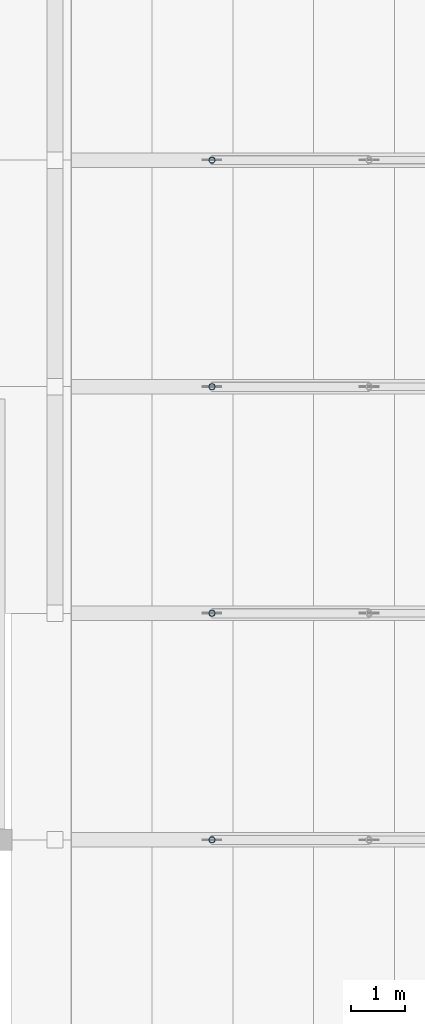
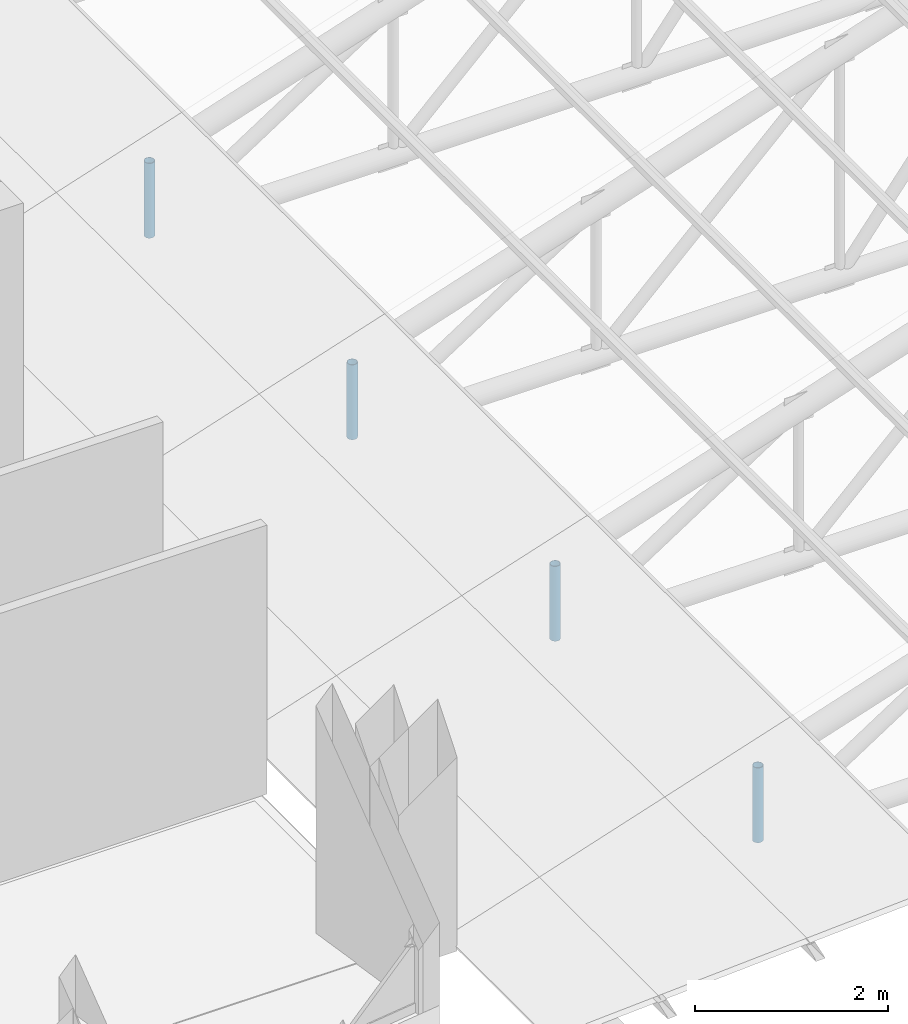
# One storey, part 62 of 95: 4 members.
"""IFC4 building model written with IfcOpenShell, lengths in metres."""

from ifc_helpers import new_model, si_unit, direction, frame, origin, origin_2d, place, context, subcontext, project, spatial, hollow_circle, extrude, material, material_profile, profile_set, type_object, element, save


model = new_model("IFC4")

# Units and contexts
model_context = context("Model", 3, precision=1e-05, world=origin(), true_north=direction((0.0, 1.0)))
body_context = subcontext(model_context, "Body", "Model", "MODEL_VIEW")
ifc_project = project(units=[si_unit("LENGTHUNIT", "METRE"), si_unit("AREAUNIT", "SQUARE_METRE"), si_unit("VOLUMEUNIT", "CUBIC_METRE"), si_unit("PLANEANGLEUNIT", "RADIAN"), si_unit("MASSUNIT", "GRAM", prefix="KILO")], contexts=[model_context])

# Site, building, storey
site_placement = place(None, origin())
site = spatial("IfcSite", under=ifc_project, at=site_placement, CompositionType="ELEMENT")
building_placement = place(site_placement, origin())
building = spatial("IfcBuilding", under=site, at=building_placement, Name="Kiln Court Media Centre", CompositionType="ELEMENT")
storey_placement = place(building_placement, frame((0.0, 0.0, 24.60009765625)))
storey = spatial("IfcBuildingStorey", under=building, at=storey_placement, Name="L05", CompositionType="ELEMENT", Elevation=24.60009765625)

# Members
ifc_material = material(Name="Steel ASTM A500 Gr C", Category="steel")
ifc_material_profile = material_profile(ifc_material, hollow_circle(Radius=0.05712890625, WallThickness=0.0048828125, at=origin_2d()), Name="CHS 114.3x5.0")
ifc_profile_set = profile_set([ifc_material_profile], Name="Steel ASTM A500 Gr C")
member_type = type_object("IfcMemberType", Name="Steel ASTM A500 Gr C CHS 114.3x5.0 truss web", PredefinedType="BRACE", material=ifc_profile_set)
for number, where, z_axis, x_axis, name in (
    (1, (37.66259765625, 33.60009765625, -0.013916015625), (0.0, 0.0, 1.0), (1.0, 0.0, 0.0), "foyer truss FT-03 post 1 truss web"),
    (2, (37.66259765625, 37.800048828125, -0.013916015625), (0.0, 0.0, 1.0), (1.0, 0.0, 0.0), "foyer truss FT-04 post 1 truss web"),
    (3, (37.66259765625, 42.0, -0.013916015625), (0.0, 0.0, 1.0), (1.0, 0.0, 0.0), "foyer truss FT-05 post 1 truss web"),
    (4, (37.66259765625, 46.199951171875, -0.013916015625), (0.0, 0.0, 1.0), (1.0, 0.0, 0.0), "foyer truss FT-06 post 1 truss web"),
):
    element("IfcMember", number, at=place(storey_placement, frame(where, z_axis=z_axis, x_axis=x_axis)), inside=storey, type_object=member_type, Name=name, PredefinedType="BRACE", context=body_context, shape_type="SweptSolid", body=[
        extrude(hollow_circle(Radius=0.05712890625, WallThickness=0.0048828125, at=origin_2d()), origin(), (0.0, 0.0, 1.0), 0.946533203125),
    ])

save(model, "model.ifc")
